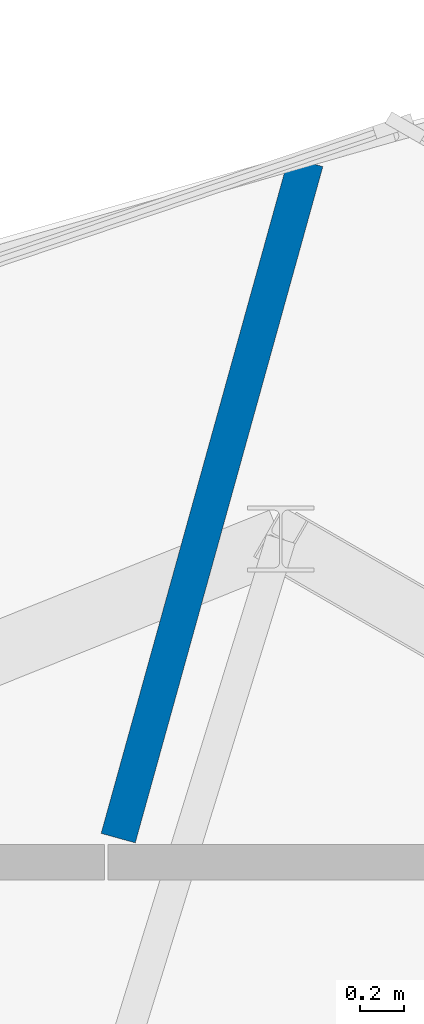
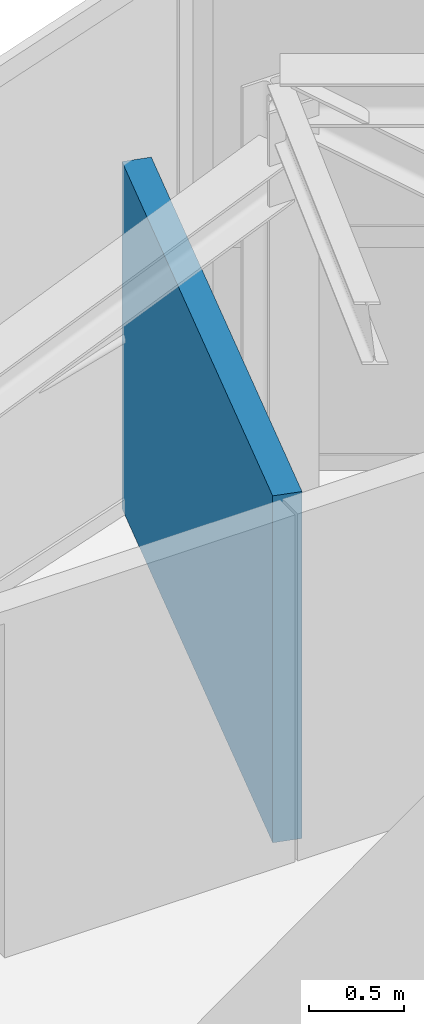
# One storey, part 8 of 9: 1 wall.
"""IFC4 building model written with IfcOpenShell, lengths in metres."""

from ifc_helpers import new_model, si_unit, direction, frame, frame_2d, origin, place, context, subcontext, project, spatial, rectangle, extrude, material, layer, layer_set, type_object, element, save


model = new_model("IFC4")

# Units and contexts
model_context = context("Model", 3, precision=1e-05, world=origin(), true_north=direction((0.0, 1.0)))
body_context = subcontext(model_context, "Body", "Model", "MODEL_VIEW")
ifc_project = project(units=[si_unit("LENGTHUNIT", "METRE"), si_unit("AREAUNIT", "SQUARE_METRE"), si_unit("VOLUMEUNIT", "CUBIC_METRE"), si_unit("PLANEANGLEUNIT", "RADIAN"), si_unit("MASSUNIT", "GRAM", prefix="KILO")], contexts=[model_context])

# Site, building, storey
site_placement = place(None, origin())
site = spatial("IfcSite", under=ifc_project, at=site_placement, CompositionType="ELEMENT")
building_placement = place(site_placement, origin())
building = spatial("IfcBuilding", under=site, at=building_placement, Name="Qafzar Sky-Pleat Residences", CompositionType="ELEMENT")
storey_placement = place(building_placement, frame((0.0, 0.0, 274.699951171875)))
storey = spatial("IfcBuildingStorey", under=building, at=storey_placement, Name="L81 Crown", CompositionType="ELEMENT", Elevation=274.699951171875)

# Wall
ifc_material = material(Name="Acoustic gypsum plasterboard partition", Category="gypsum")
ifc_layer = layer(ifc_material, 0.159912109375)
ifc_layer_set = layer_set([ifc_layer], Name="Acoustic gypsum plasterboard partition")
wall_type = type_object("IfcWallType", Name="PART-COR-160", PredefinedType="PARTITIONING", material=ifc_layer_set)
wall_placement = place(storey_placement, frame((33.226318359375, 36.359130859375, 0.0), z_axis=(0.0, 0.0, 1.0), x_axis=(0.267310296681, 0.96361050497, 0.0)))
element("IfcWall", 1, at=wall_placement, inside=storey, type_object=wall_type, Name="L81 Crown Partition Wall PART-L81_Crown-PW-008", PredefinedType="PARTITIONING", context=body_context, shape_type="SweptSolid", body=[
    extrude(rectangle(XDim=3.171142578125, YDim=0.159912109375, at=frame_2d((1.58544921875, 0.0))), origin(), (0.0, 0.0, 1.0), 2.23046875),
])

save(model, "model.ifc")
